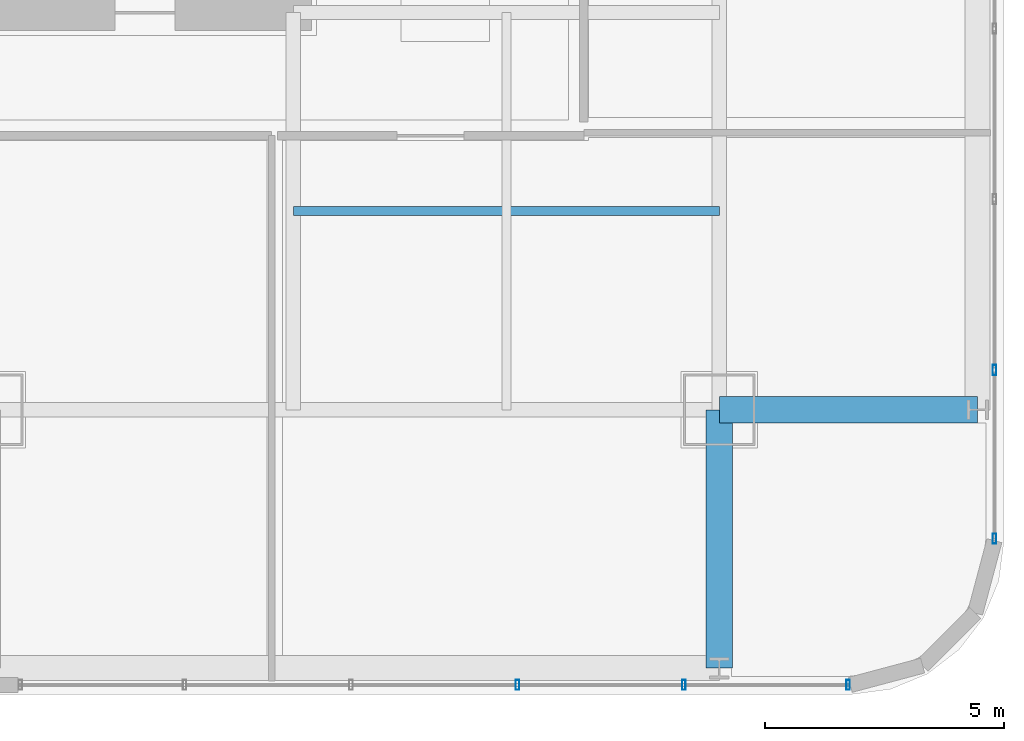
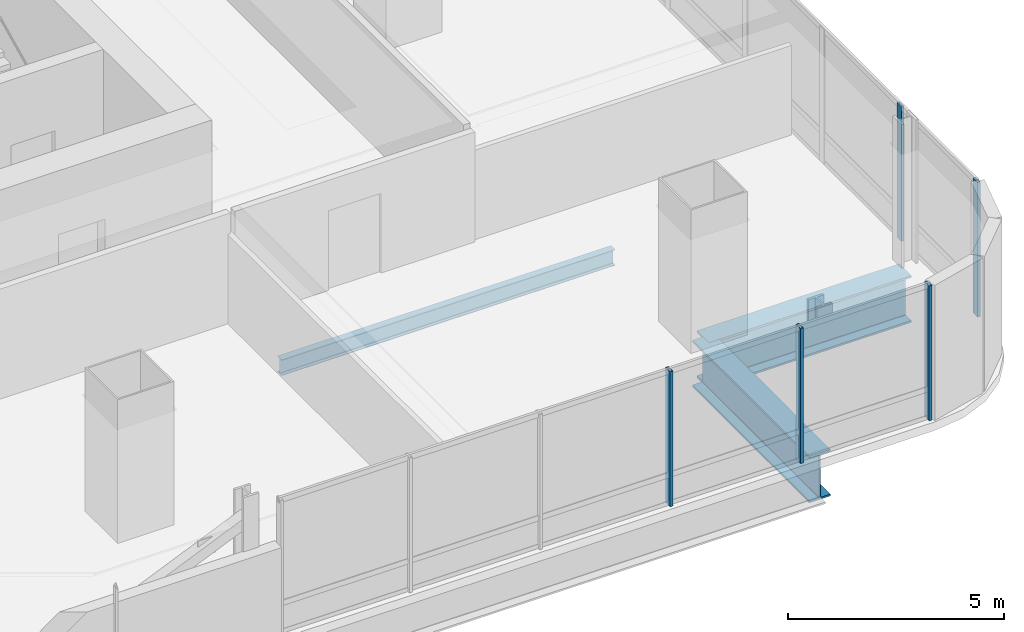
# One storey, part 11 of 40: 5 members, 3 beams, 2 elements without a shape of their own.
"""IFC4 building model written with IfcOpenShell, lengths in metres."""

import ifcopenshell
import ifcopenshell.guid

model = None  # the IFC model being written
_history = None  # IfcOwnerHistory: only IFC2X3 demands one
_inside = {}  # id of a spatial element -> (the spatial element, [elements in it])
_under = {}  # id of a project, library or spatial element -> (it, [spatial elements below it])
_declared = {}  # id of a project -> (the project, [libraries it declares])
_typed = {}  # id of a type object -> (the type object, [elements of that type])
_made_of = {}  # id of a material, layer set ... -> (it, [elements and type objects made of it])


def new_model(schema):
    """Start an empty IFC model of exactly this schema.

    Asked for "IFC4X3", IfcOpenShell would pick the latest addendum, in which some entities
    have other attributes; the version numbers below select the first issue.
    IFC2X3 requires an IfcOwnerHistory on every rooted entity: one is made here for all.
    """
    global model, _history
    if schema == "IFC4X3":
        model = ifcopenshell.file(schema_version=(4, 3, 0, 0))
    else:
        model = ifcopenshell.file(schema=schema)
    _inside.clear()
    _under.clear()
    _declared.clear()
    _typed.clear()
    _made_of.clear()
    _history = None
    if model.schema == "IFC2X3":
        org = make("IfcOrganization", Name="unknown")
        user = make(
            "IfcPersonAndOrganization",
            ThePerson=make("IfcPerson", FamilyName="unknown"),
            TheOrganization=org,
        )
        app = make(
            "IfcApplication",
            ApplicationDeveloper=org,
            Version="unknown",
            ApplicationFullName="unknown",
            ApplicationIdentifier="unknown",
        )
        _history = make(
            "IfcOwnerHistory",
            OwningUser=user,
            OwningApplication=app,
            ChangeAction="ADDED",
            CreationDate=0,
        )
    return model


def make(cls, **values):
    """One entity of the class cls with the attributes given. An attribute that is None is left unset."""
    return model.create_entity(
        cls, **{name: value for name, value in values.items() if value is not None}
    )


def rooted(cls, **values):
    """An entity with a GlobalId (a new one), such as an element, a storey or a relation."""
    return make(cls, GlobalId=ifcopenshell.guid.new(), OwnerHistory=_history, **values)


def si_unit(unit_type, name, prefix=None):
    """IfcSIUnit, for example si_unit("LENGTHUNIT", "METRE", prefix="MILLI")."""
    return make("IfcSIUnit", UnitType=unit_type, Prefix=prefix, Name=name)


def assignment(units):
    """IfcUnitAssignment: the units of a project."""
    return None if units is None else make("IfcUnitAssignment", Units=units)


def point(xyz):
    """IfcCartesianPoint."""
    return None if xyz is None else make("IfcCartesianPoint", Coordinates=xyz)


def direction(xyz):
    """IfcDirection."""
    return None if xyz is None else make("IfcDirection", DirectionRatios=xyz)


def frame(location, z_axis=None, x_axis=None):
    """IfcAxis2Placement3D, a coordinate frame: its origin and axes. An axis left out is left unset."""
    return make(
        "IfcAxis2Placement3D",
        Location=point(location),
        Axis=direction(z_axis),
        RefDirection=direction(x_axis),
    )


def frame_2d(location, x_axis=None):
    """IfcAxis2Placement2D, a coordinate frame in the plane: its origin and x axis."""
    return make(
        "IfcAxis2Placement2D", Location=point(location), RefDirection=direction(x_axis)
    )


def origin():
    """The frame at (0, 0, 0) with its axes left unset."""
    return frame((0.0, 0.0, 0.0))


def origin_2d():
    """The frame at (0, 0) in the plane with its x axis left unset."""
    return frame_2d((0.0, 0.0))


def place(relative_to, where):
    """IfcLocalPlacement: puts the frame where relative to a parent placement (None: the world)."""
    return make(
        "IfcLocalPlacement", PlacementRelTo=relative_to, RelativePlacement=where
    )


def context(
    kind, dimensions, precision=None, world=None, true_north=None, identifier=None
):
    """IfcGeometricRepresentationContext, for example the 3D "Model" context."""
    return make(
        "IfcGeometricRepresentationContext",
        ContextIdentifier=identifier,
        ContextType=kind,
        CoordinateSpaceDimension=dimensions,
        Precision=precision,
        WorldCoordinateSystem=world,
        TrueNorth=true_north,
    )


def subcontext(parent, identifier, kind, view, scale=None):
    """IfcGeometricRepresentationSubContext, for example "Body" below "Model"."""
    return make(
        "IfcGeometricRepresentationSubContext",
        ContextIdentifier=identifier,
        ContextType=kind,
        ParentContext=parent,
        TargetScale=scale,
        TargetView=view,
    )


def project(units=None, contexts=None):
    """IfcProject with its units and contexts."""
    return rooted(
        "IfcProject",
        Name="project",
        RepresentationContexts=contexts,
        UnitsInContext=assignment(units),
    )


def spatial(cls, under=None, at=None, **own):
    """A site, building, storey or space (cls), placed at a placement, below another one or the project."""
    s = rooted(cls, ObjectPlacement=at, **own)
    if under is not None:
        _under.setdefault(under.id(), (under, []))[1].append(s)
    return s


def profile(cls, at=None, kind="AREA", **sizes):
    """A parametric profile (cls). Its sizes go by their IFC names, for example OverallWidth=200.0."""
    return make(cls, ProfileType=kind, Position=at, **sizes)


def hollow_rectangle(**sizes):
    """IfcRectangleHollowProfileDef."""
    return profile("IfcRectangleHollowProfileDef", **sizes)


def i_section(**sizes):
    """IfcIShapeProfileDef."""
    return profile("IfcIShapeProfileDef", **sizes)


def extrude(swept, where, along, depth):
    """IfcExtrudedAreaSolid: the profile swept, set in the frame where, extruded along a direction by depth."""
    return make(
        "IfcExtrudedAreaSolid",
        SweptArea=swept,
        Position=where,
        ExtrudedDirection=direction(along),
        Depth=depth,
    )


def shape(context_of_items, identifier, shape_type, items):
    """IfcShapeRepresentation: the items that make up one representation, for example the "Body"."""
    return make(
        "IfcShapeRepresentation",
        ContextOfItems=context_of_items,
        RepresentationIdentifier=identifier,
        RepresentationType=shape_type,
        Items=items,
    )


def material(Name=None, Category=None):
    """IfcMaterial."""
    return make("IfcMaterial", Name=Name, Category=Category)


def material_profile(
    of_material, cross_section, Name=None, Category=None, Priority=None
):
    """IfcMaterialProfile: a cross section and its material."""
    return make(
        "IfcMaterialProfile",
        Name=Name,
        Material=of_material,
        Profile=cross_section,
        Priority=Priority,
        Category=Category,
    )


def profile_set(profiles, Name=None, composite=None):
    """IfcMaterialProfileSet."""
    return make(
        "IfcMaterialProfileSet",
        Name=Name,
        MaterialProfiles=profiles,
        CompositeProfile=composite,
    )


def made_of(thing, what):
    """Note that an element or type object is made of a material, layer set ...; save() writes the relation."""
    if what is not None:
        _made_of.setdefault(what.id(), (what, []))[1].append(thing)
    return thing


def type_object(cls, material=None, **own):
    """A type object (cls), such as IfcWallType, which elements share."""
    return made_of(rooted(cls, **own), material)


def element(
    cls,
    number,
    at=None,
    inside=None,
    cuts=None,
    type_object=None,
    material=None,
    context=None,
    identifier="Body",
    shape_type=None,
    held_by="IfcProductDefinitionShape",
    body=None,
    shapes=None,
    **own,
):
    """One element of the class cls, such as IfcWall. Its Tag is "e" and its number.

    at: its placement. inside: the storey or other place that contains it. cuts: it is an
    opening in that element (IfcRelVoidsElement). A single representation is given by context,
    identifier, shape_type and body (its items); several are given by shapes. held_by: the class
    of the entity that holds the representations. save() writes the other relations.
    """
    e = rooted(cls, Tag="e%d" % number, ObjectPlacement=at, **own)
    if body is not None:
        shapes = [shape(context, identifier, shape_type, body)]
    if shapes is not None:
        e.Representation = make(held_by, Representations=shapes)
    if inside is not None:
        _inside.setdefault(inside.id(), (inside, []))[1].append(e)
    if cuts is not None:
        rooted(
            "IfcRelVoidsElement", RelatingBuildingElement=cuts, RelatedOpeningElement=e
        )
    if type_object is not None:
        _typed.setdefault(type_object.id(), (type_object, []))[1].append(e)
    return made_of(e, material)


def aggregate(whole, parts):
    """IfcRelAggregates: a whole, such as a stair, and the parts it consists of."""
    return rooted("IfcRelAggregates", RelatingObject=whole, RelatedObjects=parts)


def save(model, path):
    """Write the relations noted so far, then the file.

    IfcRelAggregates (storeys below a building ...), IfcRelContainedInSpatialStructure (elements
    in a storey), IfcRelDefinesByType, IfcRelAssociatesMaterial and IfcRelDeclares: one each for
    every whole, place, type object, material and project.
    """
    for whole, parts in _under.values():
        aggregate(whole, parts)
    for where, things in _inside.values():
        rooted(
            "IfcRelContainedInSpatialStructure",
            RelatedElements=things,
            RelatingStructure=where,
        )
    for kind, things in _typed.values():
        rooted("IfcRelDefinesByType", RelatedObjects=things, RelatingType=kind)
    for what, things in _made_of.values():
        rooted("IfcRelAssociatesMaterial", RelatedObjects=things, RelatingMaterial=what)
    for by, libraries in _declared.values():
        rooted("IfcRelDeclares", RelatingContext=by, RelatedDefinitions=libraries)
    model.write(path)


model = new_model("IFC4")

# Units and contexts
model_context = context("Model", 3, precision=1e-05, world=origin(), true_north=direction((0.0, 1.0)))
body_context = subcontext(model_context, "Body", "Model", "MODEL_VIEW")
ifc_project = project(units=[si_unit("LENGTHUNIT", "METRE"), si_unit("AREAUNIT", "SQUARE_METRE"), si_unit("VOLUMEUNIT", "CUBIC_METRE"), si_unit("PLANEANGLEUNIT", "RADIAN"), si_unit("MASSUNIT", "GRAM", prefix="KILO")], contexts=[model_context])

# Site, building, storey
site_placement = place(None, origin())
site = spatial("IfcSite", under=ifc_project, at=site_placement, CompositionType="ELEMENT")
building_placement = place(site_placement, origin())
building = spatial("IfcBuilding", under=site, at=building_placement, Name="Punatoya Terracotta Tower", CompositionType="ELEMENT")
storey_placement = place(building_placement, frame((0.0, 0.0, 76.800048828125)))
storey = spatial("IfcBuildingStorey", under=building, at=storey_placement, Name="L17", CompositionType="ELEMENT", Elevation=76.800048828125)

# Beams
ifc_material_1 = material(Name="Steel S355", Category="steel")
ifc_material_profile_1 = material_profile(ifc_material_1, i_section(OverallWidth=0.18994140625, OverallDepth=0.449951171875, WebThickness=0.009521484375, FlangeThickness=0.0146484375, FilletRadius=0.01806640625, at=origin_2d()))
ifc_profile_set_1 = profile_set([ifc_material_profile_1], Name="Steel S355")
beam_type_1 = type_object("IfcBeamType", Name="BM-SEC-450", PredefinedType="JOIST", material=ifc_profile_set_1)
beam_placement = place(storey_placement, frame((10.199951171875, -13.35009765625, -0.465087890625), z_axis=(1.0, 0.0, 0.0), x_axis=(0.0, 1.0, 0.0)))
element("IfcBeam", 1, at=beam_placement, inside=storey, type_object=beam_type_1, Name="BM-L17-SJS-2", PredefinedType="JOIST", context=body_context, shape_type="SweptSolid", body=[
    extrude(i_section(OverallWidth=0.18994140625, OverallDepth=0.449951171875, WebThickness=0.009521484375, FlangeThickness=0.0146484375, FilletRadius=0.01806640625, at=origin_2d()), origin(), (0.0, 0.0, 1.0), 8.900146484375),
])
ifc_material_2 = material(Name="Steel S460", Category="steel")
ifc_material_profile_2 = material_profile(ifc_material_2, i_section(OverallWidth=0.56005859375, OverallDepth=1.320068359375, WebThickness=0.035888671875, FlangeThickness=0.054931640625, FilletRadius=0.01806640625, at=origin_2d()))
ifc_profile_set_2 = profile_set([ifc_material_profile_2], Name="Steel S460")
beam_type_2 = type_object("IfcBeamType", Name="BM-TG-BLK", PredefinedType="BEAM", material=ifc_profile_set_2)
for number, where, z_axis, x_axis, name in (
    (2, (19.10009765625, -17.5, -0.900146484375), (1.0, 0.0, 0.0), (0.0, 1.0, 0.0), "BM-L17-CANT-E1"),
    (3, (19.10009765625, -22.89990234375, -0.900146484375), (0.0, 1.0, 0.0), (-1.0, 0.0, 0.0), "BM-L17-CANT-S4"),
):
    element("IfcBeam", number, at=place(storey_placement, frame(where, z_axis=z_axis, x_axis=x_axis)), inside=storey, type_object=beam_type_2, Name=name, PredefinedType="BEAM", context=body_context, shape_type="SweptSolid", body=[
        extrude(i_section(OverallWidth=0.56005859375, OverallDepth=1.320068359375, WebThickness=0.035888671875, FlangeThickness=0.054931640625, FilletRadius=0.01806640625, at=origin_2d()), origin(), (0.0, 0.0, 1.0), 5.39990234375),
    ])

# Curtain wall, members
ifc_material_3 = material(Name="Aluminium 6063-T6 + Double Low-E Glass", Category="aluminium")
curtain_wall_type = type_object("IfcCurtainWallType", Name="CW-M1", PredefinedType="NOTDEFINED", material=ifc_material_3)
curtain_wall_1_placement = place(storey_placement, origin())
curtain_wall_1 = element("IfcCurtainWall", 4, at=curtain_wall_1_placement, inside=storey, type_object=curtain_wall_type, Name="L17 Curtain Wall CW-L17-S01-2", PredefinedType="NOTDEFINED")
ifc_material_4 = material(Name="Aluminium 6063-T6", Category="aluminium")
ifc_material_profile_3 = material_profile(ifc_material_4, hollow_rectangle(XDim=0.074951171875, YDim=0.2099609375, WallThickness=0.00439453125, at=origin_2d()))
ifc_profile_set_3 = profile_set([ifc_material_profile_3], Name="Aluminium 6063-T6")
member_type = type_object("IfcMemberType", Name="CW-MUL-M1", PredefinedType="MULLION", material=ifc_profile_set_3)
member_1_placement = place(storey_placement, frame((14.882080078125, -23.25, 0.0), z_axis=(0.0, 0.0, 1.0), x_axis=(1.0, 0.0, 0.0)))
member_1 = element("IfcMember", 5, at=member_1_placement, type_object=member_type, Name="CW-L17-S01-2 Mullion 03", PredefinedType="MULLION", context=body_context, shape_type="SweptSolid", body=[
    extrude(hollow_rectangle(XDim=0.074951171875, YDim=0.2099609375, WallThickness=0.00439453125, at=origin_2d()), origin(), (0.0, 0.0, 1.0), 3.81005859375),
])
member_2_placement = place(storey_placement, frame((18.359619140625, -23.25, 0.0), z_axis=(0.0, 0.0, 1.0), x_axis=(1.0, 0.0, 0.0)))
member_2 = element("IfcMember", 6, at=member_2_placement, type_object=member_type, Name="CW-L17-S01-2 Mullion 04", PredefinedType="MULLION", context=body_context, shape_type="SweptSolid", body=[
    extrude(hollow_rectangle(XDim=0.074951171875, YDim=0.2099609375, WallThickness=0.00439453125, at=origin_2d()), origin(), (0.0, 0.0, 1.0), 3.81005859375),
])
member_3_placement = place(storey_placement, frame((21.7919921875, -23.25, 0.0), z_axis=(0.0, 0.0, 1.0), x_axis=(1.0, 0.0, 0.0)))
member_3 = element("IfcMember", 7, at=member_3_placement, type_object=member_type, Name="CW-L17-S01-2 Mullion 05", PredefinedType="MULLION", context=body_context, shape_type="SweptSolid", body=[
    extrude(hollow_rectangle(XDim=0.074951171875, YDim=0.2099609375, WallThickness=0.00439453125, at=origin_2d()), origin(), (0.0, 0.0, 1.0), 3.81005859375),
])
aggregate(curtain_wall_1, [member_1, member_2, member_3])

curtain_wall_2_placement = place(storey_placement, origin())
curtain_wall_2 = element("IfcCurtainWall", 8, at=curtain_wall_2_placement, inside=storey, type_object=curtain_wall_type, Name="L17 Curtain Wall CW-L17-E05-1", PredefinedType="NOTDEFINED")
member_4_placement = place(storey_placement, frame((24.85009765625, -20.19189453125, 0.0), z_axis=(0.0, 0.0, 1.0), x_axis=(1.0, 0.0, 0.0)))
member_4 = element("IfcMember", 9, at=member_4_placement, type_object=member_type, Name="CW-L17-E05-1 Mullion 00", PredefinedType="MULLION", context=body_context, shape_type="SweptSolid", body=[
    extrude(hollow_rectangle(XDim=0.074951171875, YDim=0.2099609375, WallThickness=0.00439453125, at=origin_2d()), origin(), (0.0, 0.0, 1.0), 3.81005859375),
])
member_5_placement = place(storey_placement, frame((24.85009765625, -16.66943359375, 0.0), z_axis=(0.0, 0.0, 1.0), x_axis=(1.0, 0.0, 0.0)))
member_5 = element("IfcMember", 10, at=member_5_placement, type_object=member_type, Name="CW-L17-E05-1 Mullion 01", PredefinedType="MULLION", context=body_context, shape_type="SweptSolid", body=[
    extrude(hollow_rectangle(XDim=0.074951171875, YDim=0.2099609375, WallThickness=0.00439453125, at=origin_2d()), origin(), (0.0, 0.0, 1.0), 3.81005859375),
])
aggregate(curtain_wall_2, [member_4, member_5])

save(model, "model.ifc")
